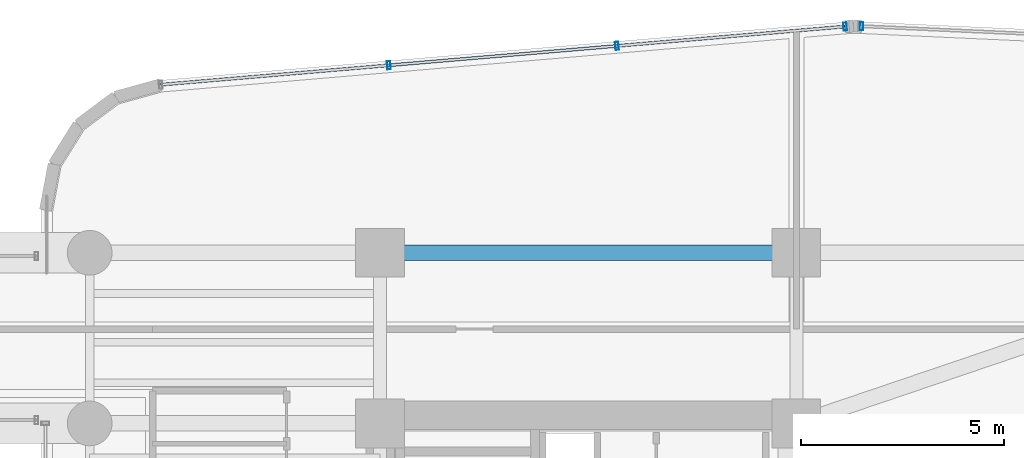
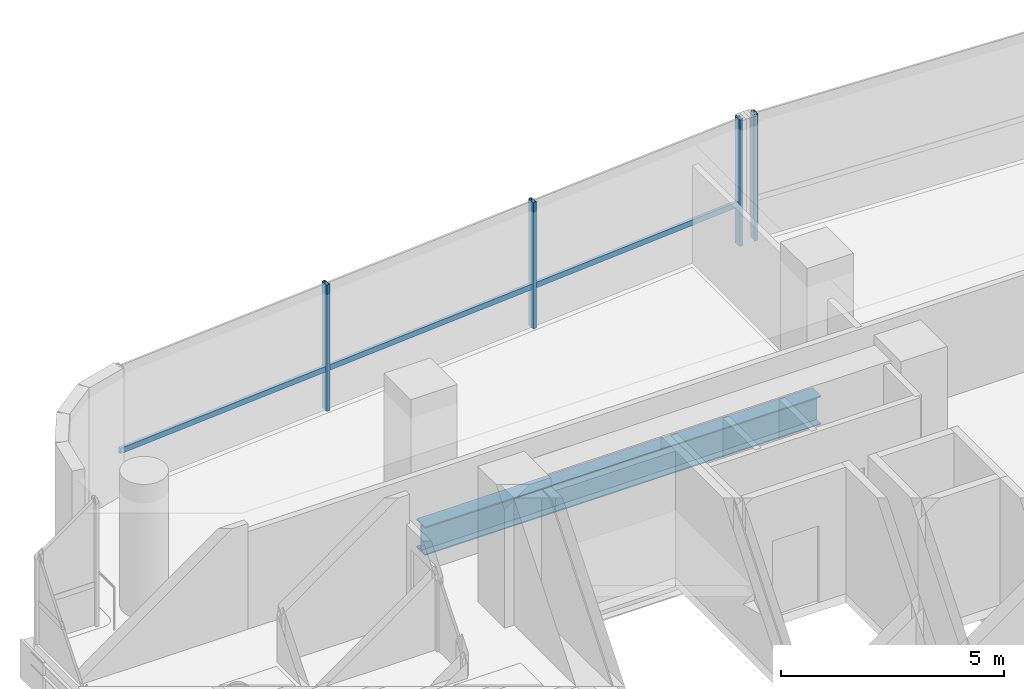
# One storey, part 20 of 34: 5 members, 1 beam, 2 elements without a shape of their own.
"""IFC4 building model written with IfcOpenShell, lengths in metres."""

from ifc_helpers import new_model, si_unit, direction, frame, origin, origin_2d, place, context, subcontext, project, spatial, hollow_rectangle, i_section, extrude, source, transform, mapped, material, material_profile, profile_set, type_object, element, aggregate, save


model = new_model("IFC4")

# Units and contexts
model_context = context("Model", 3, precision=1e-05, world=origin(), true_north=direction((0.0, 1.0)))
body_context = subcontext(model_context, "Body", "Model", "MODEL_VIEW")
ifc_project = project(units=[si_unit("LENGTHUNIT", "METRE"), si_unit("AREAUNIT", "SQUARE_METRE"), si_unit("VOLUMEUNIT", "CUBIC_METRE"), si_unit("PLANEANGLEUNIT", "RADIAN"), si_unit("MASSUNIT", "GRAM", prefix="KILO")], contexts=[model_context])

# Site, building, storey
site_placement = place(None, origin())
site = spatial("IfcSite", under=ifc_project, at=site_placement, CompositionType="ELEMENT")
building_placement = place(site_placement, origin())
building = spatial("IfcBuilding", under=site, at=building_placement, Name="Valdorenza Pilgrim Sanctuary Tower", CompositionType="ELEMENT")
storey_placement = place(building_placement, frame((0.0, 0.0, 120.5)))
storey = spatial("IfcBuildingStorey", under=building, at=storey_placement, Name="L30", CompositionType="ELEMENT", Elevation=120.5)

# Beam
ifc_material_1 = material(Name="Steel ASTM A992 Grade 50", Category="steel")
ifc_material_profile_1 = material_profile(ifc_material_1, i_section(OverallWidth=0.382080078125, OverallDepth=0.779052734375, WebThickness=0.01806640625, FlangeThickness=0.030029296875, at=origin_2d()), Name="W30X191")
ifc_profile_set_1 = profile_set([ifc_material_profile_1], Name="Steel ASTM A992 Grade 50")
beam_type = type_object("IfcBeamType", Name="STR-BM-GRD-W30", PredefinedType="BEAM", material=ifc_profile_set_1)
shared_shape_1 = source(origin(), body_context, "Body", "SweptSolid", [
    extrude(i_section(OverallWidth=0.382080078125, OverallDepth=0.779052734375, WebThickness=0.01806640625, FlangeThickness=0.030029296875, at=origin_2d()), origin(), (0.0, 0.0, 1.0), 10.25),
])
beam_placement = place(storey_placement, frame((-22.64990234375, 14.800048828125, -0.62939453125), z_axis=(1.0, 0.0, 0.0), x_axis=(0.0, 1.0, 0.0)))
element("IfcBeam", 1, at=beam_placement, inside=storey, type_object=beam_type, Name="L30 Floor Girder CA-XC-N2", PredefinedType="BEAM", context=body_context, shape_type="MappedRepresentation", body=[
    mapped(shared_shape_1, transform((0.0, 0.0, 0.0), x_axis=(1.0, 0.0, 0.0), y_axis=(0.0, 1.0, 0.0), z_axis=(0.0, 0.0, 1.0), scale=1.0)),
])

# Curtain wall, members
ifc_material_2 = material(Name="Curtain-wall IGU glazing", Category="glass")
curtain_wall_type = type_object("IfcCurtainWallType", Name="CW-SYS-02", PredefinedType="NOTDEFINED", material=ifc_material_2)
curtain_wall_1_placement = place(storey_placement, origin())
curtain_wall_1 = element("IfcCurtainWall", 2, at=curtain_wall_1_placement, inside=storey, type_object=curtain_wall_type, Name="L30 Curtain Wall CW-L30-1-6", PredefinedType="NOTDEFINED")
ifc_material_3 = material(Name="Anodised aluminium AW-6060", Category="aluminium")
ifc_material_profile_2 = material_profile(ifc_material_3, hollow_rectangle(XDim=0.0849609375, YDim=0.199951171875, WallThickness=0.0048828125, at=origin_2d()), Name="ALU-M 200x85x5")
ifc_profile_set_2 = profile_set([ifc_material_profile_2], Name="Anodised aluminium AW-6060")
member_type_1 = type_object("IfcMemberType", Name="CW-MUL-02", PredefinedType="MULLION", material=ifc_profile_set_2)
shared_shape_2 = source(origin(), body_context, "Body", "SweptSolid", [
    extrude(hollow_rectangle(XDim=0.0849609375, YDim=0.199951171875, WallThickness=0.0048828125, at=origin_2d()), origin(), (0.0, 0.0, 1.0), 3.4599609375),
])
member_1_placement = place(storey_placement, frame((-22.43408203125, 19.417724609375, 0.0), z_axis=(0.0, 0.0, 1.0), x_axis=(0.99640764237, 0.084686541006, 0.0)))
member_1 = element("IfcMember", 3, at=member_1_placement, type_object=member_type_1, Name="CW-L30-1-6 Mullion 2", PredefinedType="MULLION", context=body_context, shape_type="MappedRepresentation", body=[
    mapped(shared_shape_2, transform((0.0, 0.0, 0.0), x_axis=(1.0, 0.0, 0.0), y_axis=(0.0, 1.0, 0.0), z_axis=(0.0, 0.0, 1.0), scale=1.0)),
])
member_2_placement = place(storey_placement, frame((-16.81689453125, 19.895263671875, 0.0), z_axis=(0.0, 0.0, 1.0), x_axis=(0.99640764237, 0.084686541006, 0.0)))
member_2 = element("IfcMember", 4, at=member_2_placement, type_object=member_type_1, Name="CW-L30-1-6 Mullion 3", PredefinedType="MULLION", context=body_context, shape_type="MappedRepresentation", body=[
    mapped(shared_shape_2, transform((0.0, 0.0, 0.0), x_axis=(1.0, 0.0, 0.0), y_axis=(0.0, 1.0, 0.0), z_axis=(0.0, 0.0, 1.0), scale=1.0)),
])
member_3_placement = place(storey_placement, frame((-11.199462890625, 20.37255859375, 0.0), z_axis=(0.0, 0.0, 1.0), x_axis=(0.99640764237, 0.084686541006, 0.0)))
member_3 = element("IfcMember", 5, at=member_3_placement, type_object=member_type_1, Name="CW-L30-1-6 Mullion 4", PredefinedType="MULLION", context=body_context, shape_type="MappedRepresentation", body=[
    mapped(shared_shape_2, transform((0.0, 0.0, 0.0), x_axis=(1.0, 0.0, 0.0), y_axis=(0.0, 1.0, 0.0), z_axis=(0.0, 0.0, 1.0), scale=1.0)),
])

# Curtain wall, member
curtain_wall_2_placement = place(storey_placement, origin())
curtain_wall_2 = element("IfcCurtainWall", 6, at=curtain_wall_2_placement, inside=storey, type_object=curtain_wall_type, Name="L30 Curtain Wall CW-L30-1-11", PredefinedType="NOTDEFINED")
member_4_placement = place(storey_placement, frame((-10.795654296875, 20.380615234375, 0.0), z_axis=(0.0, 0.0, 1.0), x_axis=(0.998968193221, -0.045415294044, 0.0)))
member_4 = element("IfcMember", 7, at=member_4_placement, type_object=member_type_1, Name="CW-L30-1-11 Mullion 1", PredefinedType="MULLION", context=body_context, shape_type="MappedRepresentation", body=[
    mapped(shared_shape_2, transform((0.0, 0.0, 0.0), x_axis=(1.0, 0.0, 0.0), y_axis=(0.0, 1.0, 0.0), z_axis=(0.0, 0.0, 1.0), scale=1.0)),
])
aggregate(curtain_wall_2, [member_4])

# Member
ifc_material_profile_3 = material_profile(ifc_material_3, hollow_rectangle(XDim=0.074951171875, YDim=0.14990234375, WallThickness=0.00390625, at=origin_2d()), Name="ALU-T 150x75x4")
ifc_profile_set_3 = profile_set([ifc_material_profile_3], Name="Anodised aluminium AW-6060")
member_type_2 = type_object("IfcMemberType", Name="CW-TRN-02", PredefinedType="USERDEFINED", material=ifc_profile_set_3)
shared_shape_3 = source(origin(), body_context, "Body", "SweptSolid", [
    extrude(hollow_rectangle(XDim=0.074951171875, YDim=0.14990234375, WallThickness=0.00390625, at=origin_2d()), origin(), (0.0, 0.0, 1.0), 16.912841796875),
])
member_5_placement = place(storey_placement, frame((-28.051513671875, 18.940185546875, 1.1201171875), z_axis=(0.996407213932, 0.084691581783, 0.0), x_axis=(-0.084691581783, 0.996407213932, 0.0)))
member_5 = element("IfcMember", 8, at=member_5_placement, type_object=member_type_2, Name="CW-L30-1-6 Transom 1", ObjectType="TRANSOM", PredefinedType="USERDEFINED", context=body_context, shape_type="MappedRepresentation", body=[
    mapped(shared_shape_3, transform((0.0, 0.0, 0.0), x_axis=(1.0, 0.0, 0.0), y_axis=(0.0, 1.0, 0.0), z_axis=(0.0, 0.0, 1.0), scale=1.0)),
])

aggregate(curtain_wall_1, [member_1, member_2, member_3, member_5])

save(model, "model.ifc")
